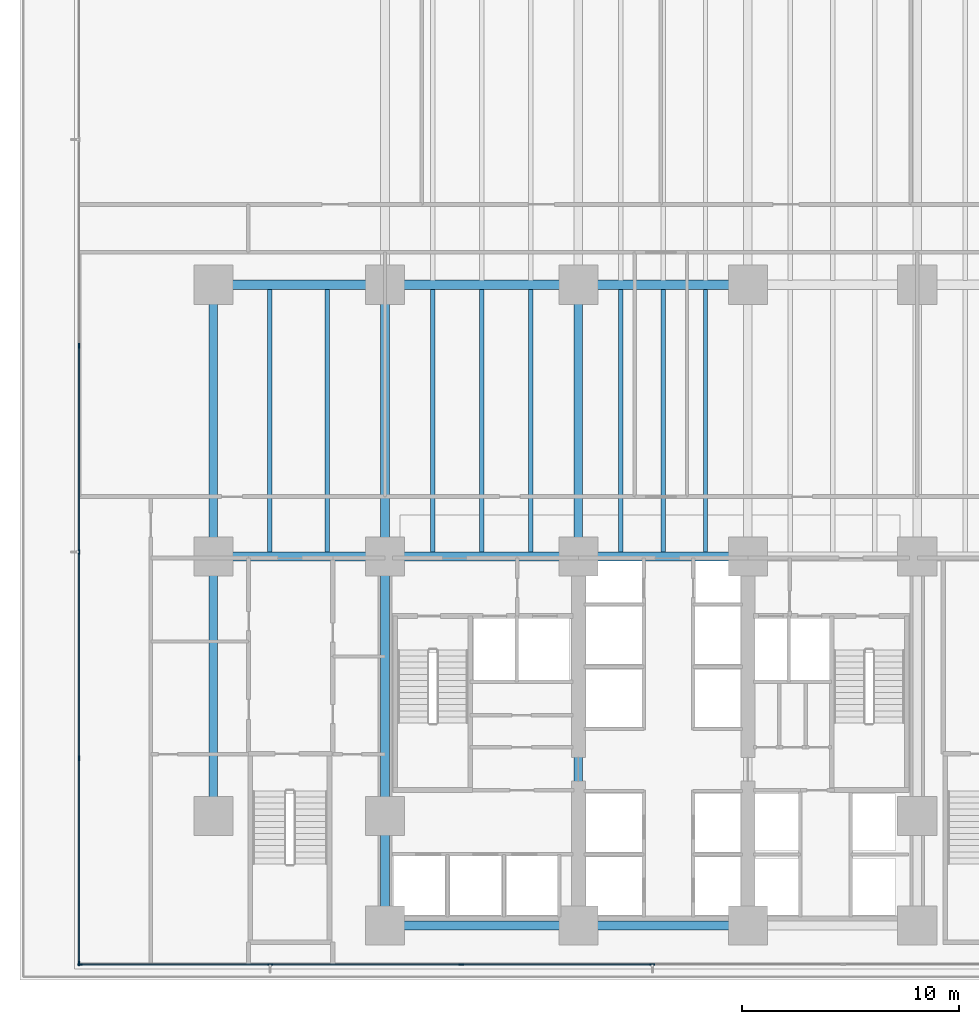
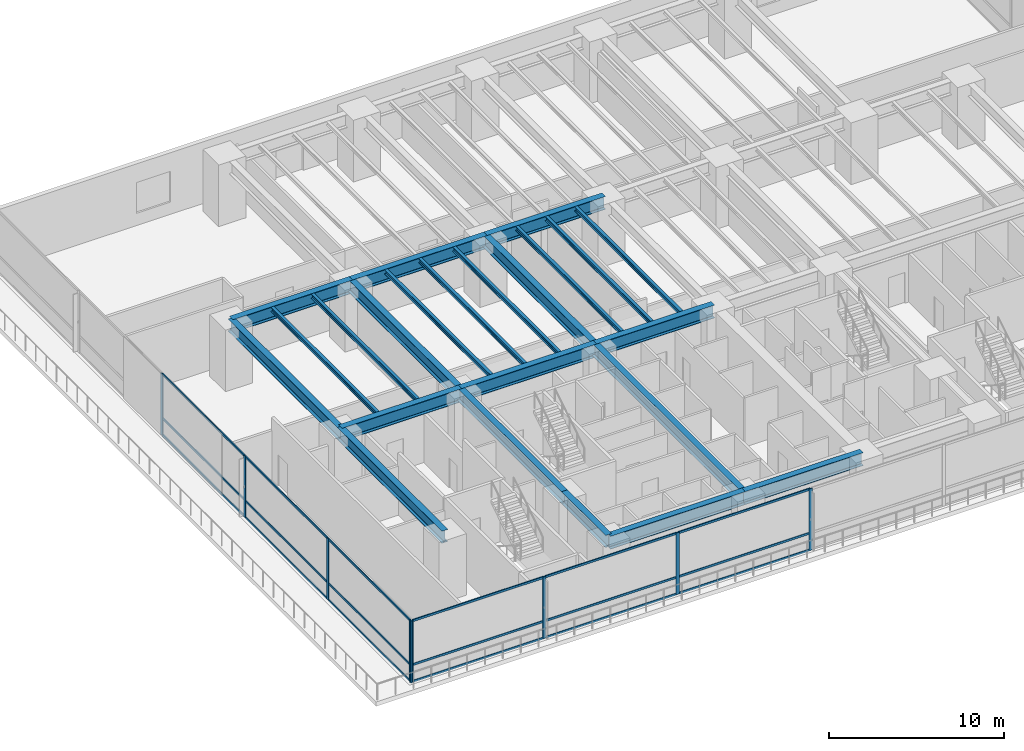
# One storey, part 2 of 26: 26 members, 23 beams, 2 elements without a shape of their own.
"""IFC4 building model written with IfcOpenShell, lengths in metres."""

from ifc_helpers import new_model, si_unit, direction, frame, origin, origin_2d, place, context, subcontext, project, spatial, rectangle, i_section, extrude, material, layer, layer_set, material_profile, profile_set, type_object, element, aggregate, save


model = new_model("IFC4")

# Units and contexts
model_context = context("Model", 3, precision=1e-05, world=origin(), true_north=direction((0.0, 1.0)))
body_context = subcontext(model_context, "Body", "Model", "MODEL_VIEW")
ifc_project = project(units=[si_unit("LENGTHUNIT", "METRE"), si_unit("AREAUNIT", "SQUARE_METRE"), si_unit("VOLUMEUNIT", "CUBIC_METRE"), si_unit("PLANEANGLEUNIT", "RADIAN"), si_unit("MASSUNIT", "GRAM", prefix="KILO")], contexts=[model_context])

# Site, building, storey
site_placement = place(None, origin())
site = spatial("IfcSite", under=ifc_project, at=site_placement, CompositionType="ELEMENT")
building_placement = place(site_placement, origin())
building = spatial("IfcBuilding", under=site, at=building_placement, Name="Qalmaran Belvedere Hotel", CompositionType="ELEMENT")
storey_placement = place(building_placement, frame((0.0, 0.0, 19.199951171875)))
storey = spatial("IfcBuildingStorey", under=building, at=storey_placement, Name="L04", CompositionType="ELEMENT", Elevation=19.199951171875)

# Beams
ifc_material_1 = material(Name="Steel S355JR", Category="steel")
ifc_material_profile_1 = material_profile(ifc_material_1, i_section(OverallWidth=0.202880859375, OverallDepth=0.302978515625, WebThickness=0.007568359375, FlangeThickness=0.01318359375, FilletRadius=0.012939453125, at=origin_2d()), Name="W310X60")
ifc_profile_set_1 = profile_set([ifc_material_profile_1], Name="Steel S355JR")
beam_type_1 = type_object("IfcBeamType", Name="BM-JST-W310X60", PredefinedType="JOIST", material=ifc_profile_set_1)
for number, where, z_axis, x_axis, name in (
    (1, (15.0, 20.70703125, 4.1484375), (0.0, 1.0, 0.0), (-1.0, 0.0, 0.0), "L04 Podium South-Ballroom Joist 041"),
    (2, (17.64990234375, 20.70703125, 4.1484375), (0.0, 1.0, 0.0), (-1.0, 0.0, 0.0), "L04 Podium South-Ballroom Joist 042"),
    (3, (22.5, 20.70703125, 4.1484375), (0.0, 1.0, 0.0), (-1.0, 0.0, 0.0), "L04 Podium South-Ballroom Joist 043"),
    (4, (24.75, 20.70703125, 4.1484375), (0.0, 1.0, 0.0), (-1.0, 0.0, 0.0), "L04 Podium South-Ballroom Joist 045"),
    (5, (27.0, 20.70703125, 4.1484375), (0.0, 1.0, 0.0), (-1.0, 0.0, 0.0), "L04 Podium South-Ballroom Joist 047"),
    (6, (31.14990234375, 20.70703125, 4.1484375), (0.0, 1.0, 0.0), (-1.0, 0.0, 0.0), "L04 Podium South-Ballroom Joist 049"),
    (7, (33.10009765625, 20.70703125, 4.1484375), (0.0, 1.0, 0.0), (-1.0, 0.0, 0.0), "L04 Podium South-Ballroom Joist 051"),
    (8, (35.050048828125, 20.70703125, 4.1484375), (0.0, 1.0, 0.0), (-1.0, 0.0, 0.0), "L04 Podium South-Ballroom Joist 053"),
):
    element("IfcBeam", number, at=place(storey_placement, frame(where, z_axis=z_axis, x_axis=x_axis)), inside=storey, type_object=beam_type_1, Name=name, PredefinedType="JOIST", context=body_context, shape_type="SweptSolid", body=[
        extrude(i_section(OverallWidth=0.202880859375, OverallDepth=0.302978515625, WebThickness=0.007568359375, FlangeThickness=0.01318359375, FilletRadius=0.012939453125, at=origin_2d()), origin(), (0.0, 0.0, 1.0), 12.0859375),
    ])
ifc_material_profile_2 = material_profile(ifc_material_1, i_section(OverallWidth=0.41796875, OverallDepth=0.912109375, WebThickness=0.019287109375, FlangeThickness=0.031982421875, FilletRadius=0.02392578125, at=origin_2d()), Name="W920X342")
ifc_profile_set_2 = profile_set([ifc_material_profile_2], Name="Steel S355JR")
beam_type_2 = type_object("IfcBeamType", Name="BM-PG2-W920X342", PredefinedType="USERDEFINED", material=ifc_profile_set_2)
beam_1_placement = place(storey_placement, frame((20.300048828125, 3.5, 3.843994140625), z_axis=(1.0, 0.0, 0.0), x_axis=(0.0, 1.0, 0.0)))
element("IfcBeam", 9, at=beam_1_placement, inside=storey, type_object=beam_type_2, Name="L04 Podium Primary Girder GX01", ObjectType="GIRDER", PredefinedType="USERDEFINED", context=body_context, shape_type="SweptSolid", body=[
    extrude(i_section(OverallWidth=0.41796875, OverallDepth=0.912109375, WebThickness=0.019287109375, FlangeThickness=0.031982421875, FilletRadius=0.02392578125, at=origin_2d()), origin(), (0.0, 0.0, 1.0), 8.89990234375),
])
beam_2_placement = place(storey_placement, frame((29.199951171875, 3.5, 3.843994140625), z_axis=(1.0, 0.0, 0.0), x_axis=(0.0, 1.0, 0.0)))
element("IfcBeam", 10, at=beam_2_placement, inside=storey, type_object=beam_type_2, Name="L04 Podium Primary Girder GX02", ObjectType="GIRDER", PredefinedType="USERDEFINED", context=body_context, shape_type="SweptSolid", body=[
    extrude(i_section(OverallWidth=0.41796875, OverallDepth=0.912109375, WebThickness=0.019287109375, FlangeThickness=0.031982421875, FilletRadius=0.02392578125, at=origin_2d()), origin(), (0.0, 0.0, 1.0), 7.800048828125),
])
beam_3_placement = place(storey_placement, frame((12.39990234375, 20.5, 3.843994140625), z_axis=(1.0, 0.0, 0.0), x_axis=(0.0, 1.0, 0.0)))
element("IfcBeam", 11, at=beam_3_placement, inside=storey, type_object=beam_type_2, Name="L04 Podium Primary Girder GX07", ObjectType="GIRDER", PredefinedType="USERDEFINED", context=body_context, shape_type="SweptSolid", body=[
    extrude(i_section(OverallWidth=0.41796875, OverallDepth=0.912109375, WebThickness=0.019287109375, FlangeThickness=0.031982421875, FilletRadius=0.02392578125, at=origin_2d()), origin(), (0.0, 0.0, 1.0), 7.900146484375),
])
beam_4_placement = place(storey_placement, frame((20.300048828125, 20.5, 3.843994140625), z_axis=(1.0, 0.0, 0.0), x_axis=(0.0, 1.0, 0.0)))
element("IfcBeam", 12, at=beam_4_placement, inside=storey, type_object=beam_type_2, Name="L04 Podium Primary Girder GX08", ObjectType="GIRDER", PredefinedType="USERDEFINED", context=body_context, shape_type="SweptSolid", body=[
    extrude(i_section(OverallWidth=0.41796875, OverallDepth=0.912109375, WebThickness=0.019287109375, FlangeThickness=0.031982421875, FilletRadius=0.02392578125, at=origin_2d()), origin(), (0.0, 0.0, 1.0), 8.89990234375),
])
beam_5_placement = place(storey_placement, frame((29.199951171875, 20.5, 3.843994140625), z_axis=(1.0, 0.0, 0.0), x_axis=(0.0, 1.0, 0.0)))
element("IfcBeam", 13, at=beam_5_placement, inside=storey, type_object=beam_type_2, Name="L04 Podium Primary Girder GX09", ObjectType="GIRDER", PredefinedType="USERDEFINED", context=body_context, shape_type="SweptSolid", body=[
    extrude(i_section(OverallWidth=0.41796875, OverallDepth=0.912109375, WebThickness=0.019287109375, FlangeThickness=0.031982421875, FilletRadius=0.02392578125, at=origin_2d()), origin(), (0.0, 0.0, 1.0), 7.800048828125),
])
beam_6_placement = place(storey_placement, frame((12.39990234375, 33.0, 3.843994140625), z_axis=(1.0, 0.0, 0.0), x_axis=(0.0, 1.0, 0.0)))
element("IfcBeam", 14, at=beam_6_placement, inside=storey, type_object=beam_type_2, Name="L04 Podium Primary Girder GX12", ObjectType="GIRDER", PredefinedType="USERDEFINED", context=body_context, shape_type="SweptSolid", body=[
    extrude(i_section(OverallWidth=0.41796875, OverallDepth=0.912109375, WebThickness=0.019287109375, FlangeThickness=0.031982421875, FilletRadius=0.02392578125, at=origin_2d()), origin(), (0.0, 0.0, 1.0), 7.900146484375),
])
beam_7_placement = place(storey_placement, frame((20.300048828125, 33.0, 3.843994140625), z_axis=(1.0, 0.0, 0.0), x_axis=(0.0, 1.0, 0.0)))
element("IfcBeam", 15, at=beam_7_placement, inside=storey, type_object=beam_type_2, Name="L04 Podium Primary Girder GX13", ObjectType="GIRDER", PredefinedType="USERDEFINED", context=body_context, shape_type="SweptSolid", body=[
    extrude(i_section(OverallWidth=0.41796875, OverallDepth=0.912109375, WebThickness=0.019287109375, FlangeThickness=0.031982421875, FilletRadius=0.02392578125, at=origin_2d()), origin(), (0.0, 0.0, 1.0), 8.89990234375),
])
beam_8_placement = place(storey_placement, frame((29.199951171875, 33.0, 3.843994140625), z_axis=(1.0, 0.0, 0.0), x_axis=(0.0, 1.0, 0.0)))
element("IfcBeam", 16, at=beam_8_placement, inside=storey, type_object=beam_type_2, Name="L04 Podium Primary Girder GX14", ObjectType="GIRDER", PredefinedType="USERDEFINED", context=body_context, shape_type="SweptSolid", body=[
    extrude(i_section(OverallWidth=0.41796875, OverallDepth=0.912109375, WebThickness=0.019287109375, FlangeThickness=0.031982421875, FilletRadius=0.02392578125, at=origin_2d()), origin(), (0.0, 0.0, 1.0), 7.800048828125),
])
ifc_material_profile_3 = material_profile(ifc_material_1, i_section(OverallWidth=0.39990234375, OverallDepth=0.85498046875, WebThickness=0.018310546875, FlangeThickness=0.029296875, FilletRadius=0.02392578125, at=origin_2d()), Name="W840X299")
ifc_profile_set_3 = profile_set([ifc_material_profile_3], Name="Steel S355JR")
beam_type_3 = type_object("IfcBeamType", Name="BM-PG3-W840X299", PredefinedType="USERDEFINED", material=ifc_profile_set_3)
beam_9_placement = place(storey_placement, frame((12.39990234375, 8.550048828125, 3.87255859375), z_axis=(0.0, 1.0, 0.0), x_axis=(-1.0, 0.0, 0.0)))
element("IfcBeam", 17, at=beam_9_placement, inside=storey, type_object=beam_type_3, Name="L04 Podium Transverse Girder GY22", ObjectType="GIRDER", PredefinedType="USERDEFINED", context=body_context, shape_type="SweptSolid", body=[
    extrude(i_section(OverallWidth=0.39990234375, OverallDepth=0.85498046875, WebThickness=0.018310546875, FlangeThickness=0.029296875, FilletRadius=0.02392578125, at=origin_2d()), origin(), (0.0, 0.0, 1.0), 11.949951171875),
])
beam_10_placement = place(storey_placement, frame((12.39990234375, 20.5, 3.87255859375), z_axis=(0.0, 1.0, 0.0), x_axis=(-1.0, 0.0, 0.0)))
element("IfcBeam", 18, at=beam_10_placement, inside=storey, type_object=beam_type_3, Name="L04 Podium Transverse Girder GY23", ObjectType="GIRDER", PredefinedType="USERDEFINED", context=body_context, shape_type="SweptSolid", body=[
    extrude(i_section(OverallWidth=0.39990234375, OverallDepth=0.85498046875, WebThickness=0.018310546875, FlangeThickness=0.029296875, FilletRadius=0.02392578125, at=origin_2d()), origin(), (0.0, 0.0, 1.0), 12.5),
])
beam_11_placement = place(storey_placement, frame((20.300048828125, 3.5, 3.87255859375), z_axis=(0.0, 1.0, 0.0), x_axis=(-1.0, 0.0, 0.0)))
element("IfcBeam", 19, at=beam_11_placement, inside=storey, type_object=beam_type_3, Name="L04 Podium Transverse Girder GY24", ObjectType="GIRDER", PredefinedType="USERDEFINED", context=body_context, shape_type="SweptSolid", body=[
    extrude(i_section(OverallWidth=0.39990234375, OverallDepth=0.85498046875, WebThickness=0.018310546875, FlangeThickness=0.029296875, FilletRadius=0.02392578125, at=origin_2d()), origin(), (0.0, 0.0, 1.0), 5.050048828125),
])
beam_12_placement = place(storey_placement, frame((20.300048828125, 8.550048828125, 3.87255859375), z_axis=(0.0, 1.0, 0.0), x_axis=(-1.0, 0.0, 0.0)))
element("IfcBeam", 20, at=beam_12_placement, inside=storey, type_object=beam_type_3, Name="L04 Podium Transverse Girder GY25", ObjectType="GIRDER", PredefinedType="USERDEFINED", context=body_context, shape_type="SweptSolid", body=[
    extrude(i_section(OverallWidth=0.39990234375, OverallDepth=0.85498046875, WebThickness=0.018310546875, FlangeThickness=0.029296875, FilletRadius=0.02392578125, at=origin_2d()), origin(), (0.0, 0.0, 1.0), 11.949951171875),
])
beam_13_placement = place(storey_placement, frame((20.300048828125, 20.5, 3.87255859375), z_axis=(0.0, 1.0, 0.0), x_axis=(-1.0, 0.0, 0.0)))
element("IfcBeam", 21, at=beam_13_placement, inside=storey, type_object=beam_type_3, Name="L04 Podium Transverse Girder GY26", ObjectType="GIRDER", PredefinedType="USERDEFINED", context=body_context, shape_type="SweptSolid", body=[
    extrude(i_section(OverallWidth=0.39990234375, OverallDepth=0.85498046875, WebThickness=0.018310546875, FlangeThickness=0.029296875, FilletRadius=0.02392578125, at=origin_2d()), origin(), (0.0, 0.0, 1.0), 12.5),
])
beam_14_placement = place(storey_placement, frame((29.199951171875, 3.5, 3.87255859375), z_axis=(0.0, 1.0, 0.0), x_axis=(-1.0, 0.0, 0.0)))
element("IfcBeam", 22, at=beam_14_placement, inside=storey, type_object=beam_type_3, Name="L04 Podium Transverse Girder GY28", ObjectType="GIRDER", PredefinedType="USERDEFINED", context=body_context, shape_type="SweptSolid", body=[
    extrude(i_section(OverallWidth=0.39990234375, OverallDepth=0.85498046875, WebThickness=0.018310546875, FlangeThickness=0.029296875, FilletRadius=0.02392578125, at=origin_2d()), origin(), (0.0, 0.0, 1.0), 17.0),
])
beam_15_placement = place(storey_placement, frame((29.199951171875, 20.5, 3.87255859375), z_axis=(0.0, 1.0, 0.0), x_axis=(-1.0, 0.0, 0.0)))
element("IfcBeam", 23, at=beam_15_placement, inside=storey, type_object=beam_type_3, Name="L04 Podium Transverse Girder GY29", ObjectType="GIRDER", PredefinedType="USERDEFINED", context=body_context, shape_type="SweptSolid", body=[
    extrude(i_section(OverallWidth=0.39990234375, OverallDepth=0.85498046875, WebThickness=0.018310546875, FlangeThickness=0.029296875, FilletRadius=0.02392578125, at=origin_2d()), origin(), (0.0, 0.0, 1.0), 12.5),
])

# Curtain wall, members
ifc_material_2 = material(Name="Anodised Bronze Aluminium", Category="aluminium")
ifc_layer = layer(ifc_material_2, 0.219970703125, Name="Anodised Bronze Aluminium")
ifc_layer_set = layer_set([ifc_layer], Name="Anodised Bronze Aluminium")
curtain_wall_type = type_object("IfcCurtainWallType", Name="CW1-PODIUM-BRONZE", PredefinedType="NOTDEFINED", material=ifc_layer_set)
curtain_wall_1_placement = place(storey_placement, origin())
curtain_wall_1 = element("IfcCurtainWall", 24, at=curtain_wall_1_placement, inside=storey, type_object=curtain_wall_type, Name="L04 Curtain Wall CW1", PredefinedType="NOTDEFINED")
ifc_material_profile_4 = material_profile(ifc_material_2, rectangle(XDim=0.074951171875, YDim=0.219970703125, at=origin_2d()), Name="CWM75X220")
ifc_profile_set_4 = profile_set([ifc_material_profile_4], Name="Anodised Bronze Aluminium")
member_type_1 = type_object("IfcMemberType", Name="CWM-75X220", PredefinedType="MULLION", material=ifc_profile_set_4)
member_1_placement = place(storey_placement, frame((6.257568359375, 1.719970703125, 0.0), z_axis=(0.0, 0.0, 1.0), x_axis=(0.0, 1.0, 0.0)))
member_1 = element("IfcMember", 25, at=member_1_placement, type_object=member_type_1, Name="CW1 mullion 1", PredefinedType="MULLION", context=body_context, shape_type="SweptSolid", body=[
    extrude(rectangle(XDim=0.074951171875, YDim=0.219970703125, at=origin_2d()), origin(), (0.0, 0.0, 1.0), 4.300048828125),
])
member_2_placement = place(storey_placement, frame((15.014404296875, 1.719970703125, 0.0), z_axis=(0.0, 0.0, 1.0), x_axis=(0.0, 1.0, 0.0)))
member_2 = element("IfcMember", 26, at=member_2_placement, type_object=member_type_1, Name="CW1 mullion 2", PredefinedType="MULLION", context=body_context, shape_type="SweptSolid", body=[
    extrude(rectangle(XDim=0.074951171875, YDim=0.219970703125, at=origin_2d()), origin(), (0.0, 0.0, 1.0), 4.300048828125),
])
member_3_placement = place(storey_placement, frame((23.80859375, 1.719970703125, 0.0), z_axis=(0.0, 0.0, 1.0), x_axis=(0.0, 1.0, 0.0)))
member_3 = element("IfcMember", 27, at=member_3_placement, type_object=member_type_1, Name="CW1 mullion 3", PredefinedType="MULLION", context=body_context, shape_type="SweptSolid", body=[
    extrude(rectangle(XDim=0.074951171875, YDim=0.219970703125, at=origin_2d()), origin(), (0.0, 0.0, 1.0), 4.300048828125),
])
member_4_placement = place(storey_placement, frame((32.602783203125, 1.719970703125, 0.0), z_axis=(0.0, 0.0, 1.0), x_axis=(0.0, 1.0, 0.0)))
member_4 = element("IfcMember", 28, at=member_4_placement, type_object=member_type_1, Name="CW1 mullion 4", PredefinedType="MULLION", context=body_context, shape_type="SweptSolid", body=[
    extrude(rectangle(XDim=0.074951171875, YDim=0.219970703125, at=origin_2d()), origin(), (0.0, 0.0, 1.0), 4.300048828125),
])

curtain_wall_2_placement = place(storey_placement, origin())
curtain_wall_2 = element("IfcCurtainWall", 29, at=curtain_wall_2_placement, inside=storey, type_object=curtain_wall_type, Name="L04 Curtain Wall CW1", PredefinedType="NOTDEFINED")
member_5_placement = place(storey_placement, frame((6.219970703125, 30.196044921875, 0.0), z_axis=(0.0, 0.0, 1.0), x_axis=(1.0, 0.0, 0.0)))
member_5 = element("IfcMember", 30, at=member_5_placement, type_object=member_type_1, Name="CW1 mullion 3", PredefinedType="MULLION", context=body_context, shape_type="SweptSolid", body=[
    extrude(rectangle(XDim=0.074951171875, YDim=0.219970703125, at=origin_2d()), origin(), (0.0, 0.0, 1.0), 4.300048828125),
])
member_6_placement = place(storey_placement, frame((6.219970703125, 20.7041015625, 0.0), z_axis=(0.0, 0.0, 1.0), x_axis=(1.0, 0.0, 0.0)))
member_6 = element("IfcMember", 31, at=member_6_placement, type_object=member_type_1, Name="CW1 mullion 4", PredefinedType="MULLION", context=body_context, shape_type="SweptSolid", body=[
    extrude(rectangle(XDim=0.074951171875, YDim=0.219970703125, at=origin_2d()), origin(), (0.0, 0.0, 1.0), 4.300048828125),
])
member_7_placement = place(storey_placement, frame((6.219970703125, 11.2119140625, 0.0), z_axis=(0.0, 0.0, 1.0), x_axis=(1.0, 0.0, 0.0)))
member_7 = element("IfcMember", 32, at=member_7_placement, type_object=member_type_1, Name="CW1 mullion 5", PredefinedType="MULLION", context=body_context, shape_type="SweptSolid", body=[
    extrude(rectangle(XDim=0.074951171875, YDim=0.219970703125, at=origin_2d()), origin(), (0.0, 0.0, 1.0), 4.300048828125),
])
member_8_placement = place(storey_placement, frame((6.219970703125, 1.757568359375, 0.0), z_axis=(0.0, 0.0, 1.0), x_axis=(1.0, 0.0, 0.0)))
member_8 = element("IfcMember", 33, at=member_8_placement, type_object=member_type_1, Name="CW1 mullion 6", PredefinedType="MULLION", context=body_context, shape_type="SweptSolid", body=[
    extrude(rectangle(XDim=0.074951171875, YDim=0.219970703125, at=origin_2d()), origin(), (0.0, 0.0, 1.0), 4.300048828125),
])

# Member
ifc_material_profile_5 = material_profile(ifc_material_2, rectangle(XDim=0.070068359375, YDim=0.14990234375, at=origin_2d()), Name="CWT70X150")
ifc_profile_set_5 = profile_set([ifc_material_profile_5], Name="Anodised Bronze Aluminium")
member_type_2 = type_object("IfcMemberType", Name="CWT-70X150", PredefinedType="USERDEFINED", material=ifc_profile_set_5)
member_9_placement = place(storey_placement, frame((6.294921875, 1.719970703125, 0.03515625), z_axis=(1.0, 0.0, 0.0), x_axis=(0.0, 1.0, 0.0)))
member_9 = element("IfcMember", 34, at=member_9_placement, type_object=member_type_2, Name="CW1 transom 1.1", ObjectType="TRANSOM", PredefinedType="USERDEFINED", context=body_context, shape_type="SweptSolid", body=[
    extrude(rectangle(XDim=0.070068359375, YDim=0.14990234375, at=origin_2d()), origin(), (0.0, 0.0, 1.0), 8.681884765625),
])

member_10_placement = place(storey_placement, frame((6.294921875, 1.719970703125, 1.2041015625), z_axis=(1.0, 0.0, 0.0), x_axis=(0.0, 1.0, 0.0)))
member_10 = element("IfcMember", 35, at=member_10_placement, type_object=member_type_2, Name="CW1 transom 1.2", ObjectType="TRANSOM", PredefinedType="USERDEFINED", context=body_context, shape_type="SweptSolid", body=[
    extrude(rectangle(XDim=0.070068359375, YDim=0.14990234375, at=origin_2d()), origin(), (0.0, 0.0, 1.0), 8.681884765625),
])

member_11_placement = place(storey_placement, frame((6.294921875, 1.719970703125, 4.26513671875), z_axis=(1.0, 0.0, 0.0), x_axis=(0.0, 1.0, 0.0)))
member_11 = element("IfcMember", 36, at=member_11_placement, type_object=member_type_2, Name="CW1 transom 1.3", ObjectType="TRANSOM", PredefinedType="USERDEFINED", context=body_context, shape_type="SweptSolid", body=[
    extrude(rectangle(XDim=0.070068359375, YDim=0.14990234375, at=origin_2d()), origin(), (0.0, 0.0, 1.0), 8.681884765625),
])

member_12_placement = place(storey_placement, frame((15.0517578125, 1.719970703125, 0.03515625), z_axis=(1.0, 0.0, 0.0), x_axis=(0.0, 1.0, 0.0)))
member_12 = element("IfcMember", 37, at=member_12_placement, type_object=member_type_2, Name="CW1 transom 2.1", ObjectType="TRANSOM", PredefinedType="USERDEFINED", context=body_context, shape_type="SweptSolid", body=[
    extrude(rectangle(XDim=0.070068359375, YDim=0.14990234375, at=origin_2d()), origin(), (0.0, 0.0, 1.0), 8.71923828125),
])

member_13_placement = place(storey_placement, frame((15.0517578125, 1.719970703125, 1.2041015625), z_axis=(1.0, 0.0, 0.0), x_axis=(0.0, 1.0, 0.0)))
member_13 = element("IfcMember", 38, at=member_13_placement, type_object=member_type_2, Name="CW1 transom 2.2", ObjectType="TRANSOM", PredefinedType="USERDEFINED", context=body_context, shape_type="SweptSolid", body=[
    extrude(rectangle(XDim=0.070068359375, YDim=0.14990234375, at=origin_2d()), origin(), (0.0, 0.0, 1.0), 8.71923828125),
])

member_14_placement = place(storey_placement, frame((15.0517578125, 1.719970703125, 4.26513671875), z_axis=(1.0, 0.0, 0.0), x_axis=(0.0, 1.0, 0.0)))
member_14 = element("IfcMember", 39, at=member_14_placement, type_object=member_type_2, Name="CW1 transom 2.3", ObjectType="TRANSOM", PredefinedType="USERDEFINED", context=body_context, shape_type="SweptSolid", body=[
    extrude(rectangle(XDim=0.070068359375, YDim=0.14990234375, at=origin_2d()), origin(), (0.0, 0.0, 1.0), 8.71923828125),
])

member_15_placement = place(storey_placement, frame((23.84619140625, 1.719970703125, 0.03515625), z_axis=(1.0, 0.0, 0.0), x_axis=(0.0, 1.0, 0.0)))
member_15 = element("IfcMember", 40, at=member_15_placement, type_object=member_type_2, Name="CW1 transom 3.1", ObjectType="TRANSOM", PredefinedType="USERDEFINED", context=body_context, shape_type="SweptSolid", body=[
    extrude(rectangle(XDim=0.070068359375, YDim=0.14990234375, at=origin_2d()), origin(), (0.0, 0.0, 1.0), 8.71923828125),
])

member_16_placement = place(storey_placement, frame((23.84619140625, 1.719970703125, 1.2041015625), z_axis=(1.0, 0.0, 0.0), x_axis=(0.0, 1.0, 0.0)))
member_16 = element("IfcMember", 41, at=member_16_placement, type_object=member_type_2, Name="CW1 transom 3.2", ObjectType="TRANSOM", PredefinedType="USERDEFINED", context=body_context, shape_type="SweptSolid", body=[
    extrude(rectangle(XDim=0.070068359375, YDim=0.14990234375, at=origin_2d()), origin(), (0.0, 0.0, 1.0), 8.71923828125),
])

member_17_placement = place(storey_placement, frame((23.84619140625, 1.719970703125, 4.26513671875), z_axis=(1.0, 0.0, 0.0), x_axis=(0.0, 1.0, 0.0)))
member_17 = element("IfcMember", 42, at=member_17_placement, type_object=member_type_2, Name="CW1 transom 3.3", ObjectType="TRANSOM", PredefinedType="USERDEFINED", context=body_context, shape_type="SweptSolid", body=[
    extrude(rectangle(XDim=0.070068359375, YDim=0.14990234375, at=origin_2d()), origin(), (0.0, 0.0, 1.0), 8.71923828125),
])

aggregate(curtain_wall_1, [member_1, member_2, member_3, member_4, member_9, member_10, member_11, member_12, member_13, member_14, member_15, member_16, member_17])

member_18_placement = place(storey_placement, frame((6.219970703125, 30.158447265625, 0.03515625), z_axis=(0.0, -1.0, 0.0), x_axis=(1.0, 0.0, 0.0)))
member_18 = element("IfcMember", 43, at=member_18_placement, type_object=member_type_2, Name="CW1 transom 3.1", ObjectType="TRANSOM", PredefinedType="USERDEFINED", context=body_context, shape_type="SweptSolid", body=[
    extrude(rectangle(XDim=0.070068359375, YDim=0.14990234375, at=origin_2d()), origin(), (0.0, 0.0, 1.0), 9.4169921875),
])

member_19_placement = place(storey_placement, frame((6.219970703125, 30.158447265625, 1.2041015625), z_axis=(0.0, -1.0, 0.0), x_axis=(1.0, 0.0, 0.0)))
member_19 = element("IfcMember", 44, at=member_19_placement, type_object=member_type_2, Name="CW1 transom 3.2", ObjectType="TRANSOM", PredefinedType="USERDEFINED", context=body_context, shape_type="SweptSolid", body=[
    extrude(rectangle(XDim=0.070068359375, YDim=0.14990234375, at=origin_2d()), origin(), (0.0, 0.0, 1.0), 9.4169921875),
])

member_20_placement = place(storey_placement, frame((6.219970703125, 30.158447265625, 4.26513671875), z_axis=(0.0, -1.0, 0.0), x_axis=(1.0, 0.0, 0.0)))
member_20 = element("IfcMember", 45, at=member_20_placement, type_object=member_type_2, Name="CW1 transom 3.3", ObjectType="TRANSOM", PredefinedType="USERDEFINED", context=body_context, shape_type="SweptSolid", body=[
    extrude(rectangle(XDim=0.070068359375, YDim=0.14990234375, at=origin_2d()), origin(), (0.0, 0.0, 1.0), 9.4169921875),
])

member_21_placement = place(storey_placement, frame((6.219970703125, 20.66650390625, 0.03515625), z_axis=(0.0, -1.0, 0.0), x_axis=(1.0, 0.0, 0.0)))
member_21 = element("IfcMember", 46, at=member_21_placement, type_object=member_type_2, Name="CW1 transom 4.1", ObjectType="TRANSOM", PredefinedType="USERDEFINED", context=body_context, shape_type="SweptSolid", body=[
    extrude(rectangle(XDim=0.070068359375, YDim=0.14990234375, at=origin_2d()), origin(), (0.0, 0.0, 1.0), 9.4169921875),
])

member_22_placement = place(storey_placement, frame((6.219970703125, 20.66650390625, 1.2041015625), z_axis=(0.0, -1.0, 0.0), x_axis=(1.0, 0.0, 0.0)))
member_22 = element("IfcMember", 47, at=member_22_placement, type_object=member_type_2, Name="CW1 transom 4.2", ObjectType="TRANSOM", PredefinedType="USERDEFINED", context=body_context, shape_type="SweptSolid", body=[
    extrude(rectangle(XDim=0.070068359375, YDim=0.14990234375, at=origin_2d()), origin(), (0.0, 0.0, 1.0), 9.4169921875),
])

member_23_placement = place(storey_placement, frame((6.219970703125, 20.66650390625, 4.26513671875), z_axis=(0.0, -1.0, 0.0), x_axis=(1.0, 0.0, 0.0)))
member_23 = element("IfcMember", 48, at=member_23_placement, type_object=member_type_2, Name="CW1 transom 4.3", ObjectType="TRANSOM", PredefinedType="USERDEFINED", context=body_context, shape_type="SweptSolid", body=[
    extrude(rectangle(XDim=0.070068359375, YDim=0.14990234375, at=origin_2d()), origin(), (0.0, 0.0, 1.0), 9.4169921875),
])

member_24_placement = place(storey_placement, frame((6.219970703125, 11.174560546875, 0.03515625), z_axis=(0.0, -1.0, 0.0), x_axis=(1.0, 0.0, 0.0)))
member_24 = element("IfcMember", 49, at=member_24_placement, type_object=member_type_2, Name="CW1 transom 5.1", ObjectType="TRANSOM", PredefinedType="USERDEFINED", context=body_context, shape_type="SweptSolid", body=[
    extrude(rectangle(XDim=0.070068359375, YDim=0.14990234375, at=origin_2d()), origin(), (0.0, 0.0, 1.0), 9.379638671875),
])

member_25_placement = place(storey_placement, frame((6.219970703125, 11.174560546875, 1.2041015625), z_axis=(0.0, -1.0, 0.0), x_axis=(1.0, 0.0, 0.0)))
member_25 = element("IfcMember", 50, at=member_25_placement, type_object=member_type_2, Name="CW1 transom 5.2", ObjectType="TRANSOM", PredefinedType="USERDEFINED", context=body_context, shape_type="SweptSolid", body=[
    extrude(rectangle(XDim=0.070068359375, YDim=0.14990234375, at=origin_2d()), origin(), (0.0, 0.0, 1.0), 9.379638671875),
])

member_26_placement = place(storey_placement, frame((6.219970703125, 11.174560546875, 4.26513671875), z_axis=(0.0, -1.0, 0.0), x_axis=(1.0, 0.0, 0.0)))
member_26 = element("IfcMember", 51, at=member_26_placement, type_object=member_type_2, Name="CW1 transom 5.3", ObjectType="TRANSOM", PredefinedType="USERDEFINED", context=body_context, shape_type="SweptSolid", body=[
    extrude(rectangle(XDim=0.070068359375, YDim=0.14990234375, at=origin_2d()), origin(), (0.0, 0.0, 1.0), 9.379638671875),
])

aggregate(curtain_wall_2, [member_5, member_6, member_7, member_8, member_18, member_19, member_20, member_21, member_22, member_23, member_24, member_25, member_26])

save(model, "model.ifc")
